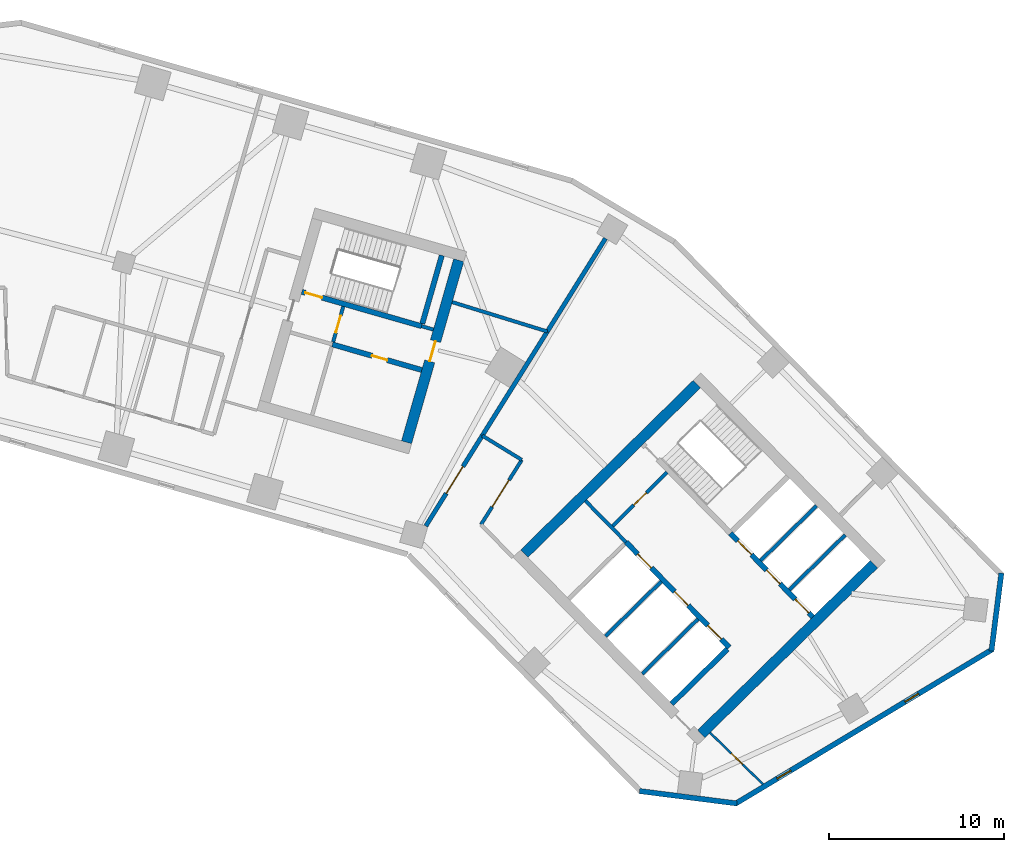
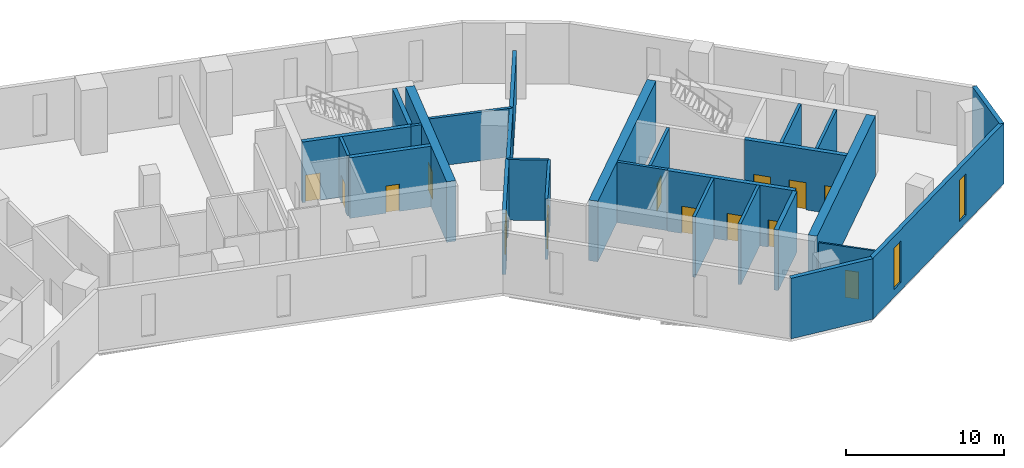
# One storey, part 6 of 10: 27 walls, 14 doors, 2 windows, 16 openings.
"""IFC4 building model written with IfcOpenShell, lengths in metres."""

from ifc_helpers import new_model, si_unit, direction, frame, frame_2d, origin, place, context, subcontext, project, spatial, rectangle, extrude, material, layer, layer_set, type_object, element, fill, save


model = new_model("IFC4")

# Units and contexts
model_context = context("Model", 3, precision=1e-05, world=origin(), true_north=direction((0.0, 1.0)))
body_context = subcontext(model_context, "Body", "Model", "MODEL_VIEW")
ifc_project = project(units=[si_unit("LENGTHUNIT", "METRE"), si_unit("AREAUNIT", "SQUARE_METRE"), si_unit("VOLUMEUNIT", "CUBIC_METRE"), si_unit("PLANEANGLEUNIT", "RADIAN"), si_unit("MASSUNIT", "GRAM", prefix="KILO")], contexts=[model_context])

# Site, building, storey
site_placement = place(None, origin())
site = spatial("IfcSite", under=ifc_project, at=site_placement, CompositionType="ELEMENT")
building_placement = place(site_placement, origin())
building = spatial("IfcBuilding", under=site, at=building_placement, Name="Binnacle Exchange Tower", CompositionType="ELEMENT")
storey_placement = place(building_placement, frame((0.0, 0.0, 31.5)))
storey = spatial("IfcBuildingStorey", under=building, at=storey_placement, Name="L06", CompositionType="ELEMENT", Elevation=31.5)

# Wall, openings, doors
ifc_material_1 = material(Name="Concrete C70/85", Category="concrete")
ifc_layer_1 = layer(ifc_material_1, 0.300048828125)
ifc_layer_set_1 = layer_set([ifc_layer_1], Name="Core wall - front 300")
wall_type_1 = type_object("IfcWallType", Name="Core wall - front 300", PredefinedType="SOLIDWALL", material=ifc_layer_set_1)
wall_1_placement = place(storey_placement, frame((37.8740234375, 41.41552734375, 0.0), z_axis=(0.0, 0.0, 1.0), x_axis=(0.700918271237, -0.71324159795, 0.0)))
wall_1 = element("IfcWall", 1, at=wall_1_placement, inside=storey, type_object=wall_type_1, Name="Core wall CRWB3", PredefinedType="SOLIDWALL", context=body_context, shape_type="SweptSolid", body=[
    extrude(rectangle(XDim=8.39990234375, YDim=0.300048828125, at=frame_2d((4.199951171875, 0.0))), origin(), (0.0, 0.0, 1.0), 4.679931640625),
])
opening_1_placement = place(wall_1_placement, frame((0.949951171875, 0.0, 0.0)))
opening_1 = element("IfcOpeningElement", 2, at=opening_1_placement, cuts=wall_1, Name="Opening LD15", PredefinedType="OPENING", context=body_context, shape_type="SweptSolid", body=[
    extrude(rectangle(XDim=1.10009765625, YDim=2.10009765625, at=frame_2d((0.550048828125, 1.050048828125))), frame((0.0, 0.159912109375, 0.0), z_axis=(0.0, -1.0, 0.0), x_axis=(1.0, 0.0, 0.0)), (0.0, 0.0, 1.0), 0.320068359375),
])
opening_2_placement = place(wall_1_placement, frame((3.949951171875, 0.0, 0.0)))
opening_2 = element("IfcOpeningElement", 3, at=opening_2_placement, cuts=wall_1, Name="Opening LD16", PredefinedType="OPENING", context=body_context, shape_type="SweptSolid", body=[
    extrude(rectangle(XDim=1.10009765625, YDim=2.10009765625, at=frame_2d((0.550048828125, 1.050048828125))), frame((0.0, 0.159912109375, 0.0), z_axis=(0.0, -1.0, 0.0), x_axis=(1.0, 0.0, 0.0)), (0.0, 0.0, 1.0), 0.320068359375),
])
opening_3_placement = place(wall_1_placement, frame((6.64990234375, 0.0, 0.0)))
opening_3 = element("IfcOpeningElement", 4, at=opening_3_placement, cuts=wall_1, Name="Opening LD4", PredefinedType="OPENING", context=body_context, shape_type="SweptSolid", body=[
    extrude(rectangle(XDim=1.10009765625, YDim=2.10009765625, at=frame_2d((0.550048828125, 1.050048828125))), frame((0.0, 0.159912109375, 0.0), z_axis=(0.0, -1.0, 0.0), x_axis=(1.0, 0.0, 0.0)), (0.0, 0.0, 1.0), 0.320068359375),
])
ifc_material_2 = material(Name="Steel door leaf", Category="steel")
door_type_1 = type_object("IfcDoorType", Name="Fire door - lift landing 1100", OperationType="NOTDEFINED", PredefinedType="DOOR", material=ifc_material_2)
door_1_placement = place(opening_1_placement, origin())
door_1 = element("IfcDoor", 5, at=door_1_placement, inside=storey, type_object=door_type_1, Name="Landing door LD15 L06", OperationType="DOUBLE_DOOR_SLIDING", OverallHeight=2.10009765625, OverallWidth=1.10009765625, PredefinedType="DOOR", context=body_context, shape_type="SweptSolid", body=[
    extrude(rectangle(XDim=1.10009765625, YDim=2.10009765625, at=frame_2d((0.550048828125, 1.050048828125))), frame((0.0, 0.02490234375, 0.0), z_axis=(0.0, -1.0, 0.0), x_axis=(1.0, 0.0, 0.0)), (0.0, 0.0, 1.0), 0.050048828125),
])
fill(opening_1, door_1)
door_2_placement = place(opening_2_placement, origin())
door_2 = element("IfcDoor", 6, at=door_2_placement, inside=storey, type_object=door_type_1, Name="Landing door LD16 L06", OperationType="DOUBLE_DOOR_SLIDING", OverallHeight=2.10009765625, OverallWidth=1.10009765625, PredefinedType="DOOR", context=body_context, shape_type="SweptSolid", body=[
    extrude(rectangle(XDim=1.10009765625, YDim=2.10009765625, at=frame_2d((0.550048828125, 1.050048828125))), frame((0.0, 0.02490234375, 0.0), z_axis=(0.0, -1.0, 0.0), x_axis=(1.0, 0.0, 0.0)), (0.0, 0.0, 1.0), 0.050048828125),
])
fill(opening_2, door_2)
door_3_placement = place(opening_3_placement, origin())
door_3 = element("IfcDoor", 7, at=door_3_placement, inside=storey, type_object=door_type_1, Name="Landing door LD4 L06", OperationType="DOUBLE_DOOR_SLIDING", OverallHeight=2.10009765625, OverallWidth=1.10009765625, PredefinedType="DOOR", context=body_context, shape_type="SweptSolid", body=[
    extrude(rectangle(XDim=1.10009765625, YDim=2.10009765625, at=frame_2d((0.550048828125, 1.050048828125))), frame((0.0, 0.02490234375, 0.0), z_axis=(0.0, -1.0, 0.0), x_axis=(1.0, 0.0, 0.0)), (0.0, 0.0, 1.0), 0.050048828125),
])
fill(opening_3, door_3)

wall_2_placement = place(storey_placement, frame((43.818603515625, 41.92919921875, 0.0), z_axis=(0.0, 0.0, 1.0), x_axis=(0.700921619155, -0.713238307862, 0.0)))
wall_2 = element("IfcWall", 8, at=wall_2_placement, inside=storey, type_object=wall_type_1, Name="Core wall CRWB5", PredefinedType="SOLIDWALL", context=body_context, shape_type="SweptSolid", body=[
    extrude(rectangle(XDim=6.69970703125, YDim=0.300048828125, at=frame_2d((3.349853515625, 0.0))), origin(), (0.0, 0.0, 1.0), 4.679931640625),
])
opening_4_placement = place(wall_2_placement, frame((0.614990234375, 0.0, 0.0)))
opening_4 = element("IfcOpeningElement", 9, at=opening_4_placement, cuts=wall_2, Name="Opening LD1", PredefinedType="OPENING", context=body_context, shape_type="SweptSolid", body=[
    extrude(rectangle(XDim=1.10009765625, YDim=2.10009765625, at=frame_2d((0.550048828125, 1.050048828125))), frame((0.0, 0.159912109375, 0.0), z_axis=(0.0, -1.0, 0.0), x_axis=(1.0, 0.0, 0.0)), (0.0, 0.0, 1.0), 0.320068359375),
])
opening_5_placement = place(wall_2_placement, frame((2.945068359375, 0.0, 0.0)))
opening_5 = element("IfcOpeningElement", 10, at=opening_5_placement, cuts=wall_2, Name="Opening LD2", PredefinedType="OPENING", context=body_context, shape_type="SweptSolid", body=[
    extrude(rectangle(XDim=1.10009765625, YDim=2.10009765625, at=frame_2d((0.550048828125, 1.050048828125))), frame((0.0, 0.159912109375, 0.0), z_axis=(0.0, -1.0, 0.0), x_axis=(1.0, 0.0, 0.0)), (0.0, 0.0, 1.0), 0.320068359375),
])
opening_6_placement = place(wall_2_placement, frame((5.280029296875, 0.0, 0.0)))
opening_6 = element("IfcOpeningElement", 11, at=opening_6_placement, cuts=wall_2, Name="Opening LD3", PredefinedType="OPENING", context=body_context, shape_type="SweptSolid", body=[
    extrude(rectangle(XDim=1.10009765625, YDim=2.10009765625, at=frame_2d((0.550048828125, 1.050048828125))), frame((0.0, 0.159912109375, 0.0), z_axis=(0.0, -1.0, 0.0), x_axis=(1.0, 0.0, 0.0)), (0.0, 0.0, 1.0), 0.320068359375),
])
door_4_placement = place(opening_4_placement, origin())
door_4 = element("IfcDoor", 12, at=door_4_placement, inside=storey, type_object=door_type_1, Name="Landing door LD1 L06", OperationType="DOUBLE_DOOR_SLIDING", OverallHeight=2.10009765625, OverallWidth=1.10009765625, PredefinedType="DOOR", context=body_context, shape_type="SweptSolid", body=[
    extrude(rectangle(XDim=1.10009765625, YDim=2.10009765625, at=frame_2d((0.550048828125, 1.050048828125))), frame((0.0, 0.02490234375, 0.0), z_axis=(0.0, -1.0, 0.0), x_axis=(1.0, 0.0, 0.0)), (0.0, 0.0, 1.0), 0.050048828125),
])
fill(opening_4, door_4)
door_5_placement = place(opening_5_placement, origin())
door_5 = element("IfcDoor", 13, at=door_5_placement, inside=storey, type_object=door_type_1, Name="Landing door LD2 L06", OperationType="DOUBLE_DOOR_SLIDING", OverallHeight=2.10009765625, OverallWidth=1.10009765625, PredefinedType="DOOR", context=body_context, shape_type="SweptSolid", body=[
    extrude(rectangle(XDim=1.10009765625, YDim=2.10009765625, at=frame_2d((0.550048828125, 1.050048828125))), frame((0.0, 0.02490234375, 0.0), z_axis=(0.0, -1.0, 0.0), x_axis=(1.0, 0.0, 0.0)), (0.0, 0.0, 1.0), 0.050048828125),
])
fill(opening_5, door_5)
door_6_placement = place(opening_6_placement, origin())
door_6 = element("IfcDoor", 14, at=door_6_placement, inside=storey, type_object=door_type_1, Name="Landing door LD3 L06", OperationType="DOUBLE_DOOR_SLIDING", OverallHeight=2.10009765625, OverallWidth=1.10009765625, PredefinedType="DOOR", context=body_context, shape_type="SweptSolid", body=[
    extrude(rectangle(XDim=1.10009765625, YDim=2.10009765625, at=frame_2d((0.550048828125, 1.050048828125))), frame((0.0, 0.02490234375, 0.0), z_axis=(0.0, -1.0, 0.0), x_axis=(1.0, 0.0, 0.0)), (0.0, 0.0, 1.0), 0.050048828125),
])
fill(opening_6, door_6)

# Wall
wall_3_placement = place(storey_placement, frame((40.480712890625, 32.199951171875, 0.0), z_axis=(0.0, 0.0, 1.0), x_axis=(0.713251741427, 0.700907949271, 0.0)))
element("IfcWall", 15, at=wall_3_placement, inside=storey, type_object=wall_type_1, Name="Core wall CRWB14", PredefinedType="SOLIDWALL", context=body_context, shape_type="SweptSolid", body=[
    extrude(rectangle(XDim=4.4501953125, YDim=0.300048828125, at=frame_2d((2.22509765625, 0.0))), origin(), (0.0, 0.0, 1.0), 4.679931640625),
])

# Wall, opening, door
wall_4_placement = place(storey_placement, frame((21.130859375, 52.6923828125, 0.0), z_axis=(0.0, 0.0, 1.0), x_axis=(0.961271492568, -0.275603188616, 0.0)))
wall_4 = element("IfcWall", 16, at=wall_4_placement, inside=storey, type_object=wall_type_1, Name="Core wall CRWD3", PredefinedType="SOLIDWALL", context=body_context, shape_type="SweptSolid", body=[
    extrude(rectangle(XDim=5.300048828125, YDim=0.300048828125, at=frame_2d((2.64990234375, 0.0))), origin(), (0.0, 0.0, 1.0), 4.679931640625),
])
opening_7_placement = place(wall_4_placement, frame((2.35009765625, 0.0, 0.0)))
opening_7 = element("IfcOpeningElement", 17, at=opening_7_placement, cuts=wall_4, Name="Opening DD10", PredefinedType="OPENING", context=body_context, shape_type="SweptSolid", body=[
    extrude(rectangle(XDim=0.89990234375, YDim=2.10009765625, at=frame_2d((0.449951171875, 1.050048828125))), frame((0.0, 0.159912109375, 0.0), z_axis=(0.0, -1.0, 0.0), x_axis=(1.0, 0.0, 0.0)), (0.0, 0.0, 1.0), 0.320068359375),
])
door_type_2 = type_object("IfcDoorType", Name="Fire door 900", OperationType="NOTDEFINED", PredefinedType="DOOR", material=ifc_material_2)
door_7_placement = place(opening_7_placement, frame((0.89990234375, 0.0, 0.0), z_axis=(0.0, 0.0, 1.0), x_axis=(-1.0, 0.0, 0.0)))
door_7 = element("IfcDoor", 18, at=door_7_placement, inside=storey, type_object=door_type_2, Name="Core room door TELECOM RISER ROOM", OperationType="SINGLE_SWING_LEFT", OverallHeight=2.10009765625, OverallWidth=0.89990234375, PredefinedType="DOOR", context=body_context, shape_type="SweptSolid", body=[
    extrude(rectangle(XDim=0.89990234375, YDim=2.10009765625, at=frame_2d((0.449951171875, 1.050048828125))), frame((0.0, 0.02490234375, 0.0), z_axis=(0.0, -1.0, 0.0), x_axis=(1.0, 0.0, 0.0)), (0.0, 0.0, 1.0), 0.050048828125),
])
fill(opening_7, door_7)

# Walls
ifc_layer_2 = layer(ifc_material_1, 0.60009765625)
ifc_layer_set_2 = layer_set([ifc_layer_2], Name="Core wall - outer 600")
wall_type_2 = type_object("IfcWallType", Name="Core wall - outer 600", PredefinedType="SOLIDWALL", material=ifc_layer_set_2)
for number, where, z_axis, x_axis, name in (
    (19, (32.06982421875, 40.759033203125, 0.0), (0.0, 0.0, 1.0), (0.713245344712, 0.70091445858, 0.0), "Core wall CRWB7"),
    (20, (42.1630859375, 30.48828125, 0.0), (0.0, 0.0, 1.0), (0.713245344712, 0.70091445858, 0.0), "Core wall CRWB16"),
):
    element("IfcWall", number, at=place(storey_placement, frame(where, z_axis=z_axis, x_axis=x_axis)), inside=storey, type_object=wall_type_2, Name=name, PredefinedType="SOLIDWALL", context=body_context, shape_type="SweptSolid", body=[
        extrude(rectangle(XDim=13.800048828125, YDim=0.60009765625, at=frame_2d((6.89990234375, 0.0))), origin(), (0.0, 0.0, 1.0), 4.679931640625),
    ])

# Wall, opening, door
wall_5_placement = place(storey_placement, frame((25.356201171875, 47.111572265625, 0.0), z_axis=(0.0, 0.0, 1.0), x_axis=(0.275631631629, 0.961263337304, 0.0)))
wall_5 = element("IfcWall", 21, at=wall_5_placement, inside=storey, type_object=wall_type_2, Name="Core wall CRWD12", PredefinedType="SOLIDWALL", context=body_context, shape_type="SweptSolid", body=[
    extrude(rectangle(XDim=10.800048828125, YDim=0.60009765625, at=frame_2d((5.39990234375, 0.0))), origin(), (0.0, 0.0, 1.0), 4.679931640625),
])
opening_8_placement = place(wall_5_placement, frame((4.800048828125, 0.0, 0.0)))
opening_8 = element("IfcOpeningElement", 22, at=opening_8_placement, cuts=wall_5, Name="Opening DD6", PredefinedType="OPENING", context=body_context, shape_type="SweptSolid", body=[
    extrude(rectangle(XDim=1.199951171875, YDim=2.10009765625, at=frame_2d((0.60009765625, 1.050048828125))), frame((0.0, 0.31005859375, 0.0), z_axis=(0.0, -1.0, 0.0), x_axis=(1.0, 0.0, 0.0)), (0.0, 0.0, 1.0), 0.6201171875),
])
door_type_3 = type_object("IfcDoorType", Name="Fire door 1200", OperationType="NOTDEFINED", PredefinedType="DOOR", material=ifc_material_2)
door_8_placement = place(opening_8_placement, frame((1.199951171875, 0.0, 0.0), z_axis=(0.0, 0.0, 1.0), x_axis=(-1.0, 0.0, 0.0)))
door_8 = element("IfcDoor", 23, at=door_8_placement, inside=storey, type_object=door_type_3, Name="Core passage exit door", OperationType="SINGLE_SWING_LEFT", OverallHeight=2.10009765625, OverallWidth=1.199951171875, PredefinedType="DOOR", context=body_context, shape_type="SweptSolid", body=[
    extrude(rectangle(XDim=1.199951171875, YDim=2.10009765625, at=frame_2d((0.60009765625, 1.050048828125))), frame((0.0, 0.02490234375, 0.0), z_axis=(0.0, -1.0, 0.0), x_axis=(1.0, 0.0, 0.0)), (0.0, 0.0, 1.0), 0.050048828125),
])
fill(opening_8, door_8)

ifc_layer_3 = layer(ifc_material_1, 0.300048828125)
ifc_layer_set_3 = layer_set([ifc_layer_3], Name="Core wall - stair 300")
wall_type_3 = type_object("IfcWallType", Name="Core wall - stair 300", PredefinedType="SOLIDWALL", material=ifc_layer_set_3)
wall_6_placement = place(storey_placement, frame((19.38916015625, 55.688720703125, 0.0), z_axis=(0.0, 0.0, 1.0), x_axis=(0.961261397636, -0.275638396117, 0.0)))
wall_6 = element("IfcWall", 24, at=wall_6_placement, inside=storey, type_object=wall_type_3, Name="Core wall CRWD4", PredefinedType="SOLIDWALL", context=body_context, shape_type="SweptSolid", body=[
    extrude(rectangle(XDim=7.10009765625, YDim=0.300048828125, at=frame_2d((3.550048828125, 0.0))), origin(), (0.0, 0.0, 1.0), 4.679931640625),
])
opening_9_placement = place(wall_6_placement, frame((0.199951171875, 0.0, 0.0)))
opening_9 = element("IfcOpeningElement", 25, at=opening_9_placement, cuts=wall_6, Name="Opening DD1", PredefinedType="OPENING", context=body_context, shape_type="SweptSolid", body=[
    extrude(rectangle(XDim=1.0, YDim=2.10009765625, at=frame_2d((0.5, 1.050048828125))), frame((0.0, 0.159912109375, 0.0), z_axis=(0.0, -1.0, 0.0), x_axis=(1.0, 0.0, 0.0)), (0.0, 0.0, 1.0), 0.320068359375),
])
door_type_4 = type_object("IfcDoorType", Name="Fire door 1000", OperationType="NOTDEFINED", PredefinedType="DOOR", material=ifc_material_2)
door_9_placement = place(opening_9_placement, origin())
door_9 = element("IfcDoor", 26, at=door_9_placement, inside=storey, type_object=door_type_4, Name="Stair door ST-D1", OperationType="SINGLE_SWING_LEFT", OverallHeight=2.10009765625, OverallWidth=1.0, PredefinedType="DOOR", context=body_context, shape_type="SweptSolid", body=[
    extrude(rectangle(XDim=1.0, YDim=2.10009765625, at=frame_2d((0.5, 1.050048828125))), frame((0.0, 0.02490234375, 0.0), z_axis=(0.0, -1.0, 0.0), x_axis=(1.0, 0.0, 0.0)), (0.0, 0.0, 1.0), 0.050048828125),
])
fill(opening_9, door_9)

# Walls
wall_7_placement = place(storey_placement, frame((26.255615234375, 53.875732421875, 0.0), z_axis=(0.0, 0.0, 1.0), x_axis=(0.275612739511, 0.961268754209, 0.0)))
element("IfcWall", 27, at=wall_7_placement, inside=storey, type_object=wall_type_3, Name="Core wall CRWD11", PredefinedType="SOLIDWALL", context=body_context, shape_type="SweptSolid", body=[
    extrude(rectangle(XDim=4.0498046875, YDim=0.300048828125, at=frame_2d((2.02490234375, 0.0))), origin(), (0.0, 0.0, 1.0), 4.679931640625),
])
ifc_material_3 = material(Name="Bronze aluminium cladding", Category="aluminium")
ifc_layer_4 = layer(ifc_material_3, 0.300048828125)
ifc_layer_set_4 = layer_set([ifc_layer_4], Name="External wall - spandrel 300")
wall_type_4 = type_object("IfcWallType", Name="External wall - spandrel 300", PredefinedType="STANDARD", material=ifc_layer_set_4)
wall_8_placement = place(storey_placement, frame((44.19580078125, 26.517822265625, 0.0), z_axis=(0.0, 0.0, 1.0), x_axis=(-0.992001881269, 0.126223086474, 0.0)))
element("IfcWall", 28, at=wall_8_placement, inside=storey, type_object=wall_type_4, Name="External wall EW-F10 L06", PredefinedType="STANDARD", context=body_context, shape_type="SweptSolid", body=[
    extrude(rectangle(XDim=5.6015625, YDim=0.300048828125, at=frame_2d((2.80078125, 0.0))), origin(), (0.0, 0.0, 1.0), 4.679931640625),
])

# Wall, openings, windows
wall_9_placement = place(storey_placement, frame((58.7783203125, 35.317626953125, 0.0), z_axis=(0.0, 0.0, 1.0), x_axis=(-0.857168206138, -0.515036568009, 0.0)))
wall_9 = element("IfcWall", 29, at=wall_9_placement, inside=storey, type_object=wall_type_4, Name="External wall EW-F11 L06", PredefinedType="STANDARD", context=body_context, shape_type="SweptSolid", body=[
    extrude(rectangle(XDim=17.124755859375, YDim=0.300048828125, at=frame_2d((8.5625, 0.0))), origin(), (0.0, 0.0, 1.0), 4.679931640625),
])
opening_10_placement = place(wall_9_placement, frame((13.435302734375, 0.0, 0.60009765625)))
opening_10 = element("IfcOpeningElement", 30, at=opening_10_placement, cuts=wall_9, Name="Opening WS1", PredefinedType="OPENING", context=body_context, shape_type="SweptSolid", body=[
    extrude(rectangle(XDim=0.89990234375, YDim=3.199951171875, at=frame_2d((0.449951171875, 1.60009765625))), frame((0.0, 0.159912109375, 0.0), z_axis=(0.0, -1.0, 0.0), x_axis=(1.0, 0.0, 0.0)), (0.0, 0.0, 1.0), 0.320068359375),
])
opening_11_placement = place(wall_9_placement, frame((4.935302734375, 0.0, 0.60009765625)))
opening_11 = element("IfcOpeningElement", 31, at=opening_11_placement, cuts=wall_9, Name="Opening WS1", PredefinedType="OPENING", context=body_context, shape_type="SweptSolid", body=[
    extrude(rectangle(XDim=0.89990234375, YDim=3.199951171875, at=frame_2d((0.449951171875, 1.60009765625))), frame((0.0, 0.159912109375, 0.0), z_axis=(0.0, -1.0, 0.0), x_axis=(1.0, 0.0, 0.0)), (0.0, 0.0, 1.0), 0.320068359375),
])
ifc_material_4 = material(Name="Bronze anodised aluminium frame", Category="aluminium")
window_type = type_object("IfcWindowType", Name="WS1 WINDOW 900x3200", PartitioningType="SINGLE_PANEL", PredefinedType="WINDOW", material=ifc_material_4)
window_1_placement = place(opening_10_placement, origin())
window_1 = element("IfcWindow", 32, at=window_1_placement, inside=storey, type_object=window_type, Name="Window WS1 L06", OverallHeight=3.199951171875, OverallWidth=0.89990234375, PartitioningType="SINGLE_PANEL", PredefinedType="WINDOW", context=body_context, shape_type="SweptSolid", body=[
    extrude(rectangle(XDim=0.89990234375, YDim=3.199951171875, at=frame_2d((0.449951171875, 1.60009765625))), frame((0.0, 0.030029296875, 0.0), z_axis=(0.0, -1.0, 0.0), x_axis=(1.0, 0.0, 0.0)), (0.0, 0.0, 1.0), 0.06005859375),
])
fill(opening_10, window_1)
window_2_placement = place(opening_11_placement, origin())
window_2 = element("IfcWindow", 33, at=window_2_placement, inside=storey, type_object=window_type, Name="Window WS1 L06", OverallHeight=3.199951171875, OverallWidth=0.89990234375, PartitioningType="SINGLE_PANEL", PredefinedType="WINDOW", context=body_context, shape_type="SweptSolid", body=[
    extrude(rectangle(XDim=0.89990234375, YDim=3.199951171875, at=frame_2d((0.449951171875, 1.60009765625))), frame((0.0, 0.030029296875, 0.0), z_axis=(0.0, -1.0, 0.0), x_axis=(1.0, 0.0, 0.0)), (0.0, 0.0, 1.0), 0.06005859375),
])
fill(opening_11, window_2)

# Walls
wall_10_placement = place(storey_placement, frame((59.27197265625, 39.6513671875, 0.0), z_axis=(0.0, 0.0, 1.0), x_axis=(-0.126181137886, -0.992007217938, 0.0)))
element("IfcWall", 34, at=wall_10_placement, inside=storey, type_object=wall_type_4, Name="External wall EW-F12 L06", PredefinedType="STANDARD", context=body_context, shape_type="SweptSolid", body=[
    extrude(rectangle(XDim=4.479248046875, YDim=0.300048828125, at=frame_2d((2.23974609375, 0.0))), origin(), (0.0, 0.0, 1.0), 4.679931640625),
])
ifc_material_5 = material(Name="Masonry block wall", Category="masonry")
ifc_layer_5 = layer(ifc_material_5, 0.199951171875)
ifc_layer_set_5 = layer_set([ifc_layer_5], Name="Fire wall - block 200")
wall_type_5 = type_object("IfcWallType", Name="Fire wall - block 200", PredefinedType="PARTITIONING", material=ifc_layer_set_5)
wall_11_placement = place(storey_placement, frame((27.9599609375, 55.10302734375, 0.0), z_axis=(0.0, 0.0, 1.0), x_axis=(0.955442775069, -0.29517639399, 0.0)))
element("IfcWall", 35, at=wall_11_placement, inside=storey, type_object=wall_type_5, Name="Partition W35", PredefinedType="PARTITIONING", context=body_context, shape_type="SweptSolid", body=[
    extrude(rectangle(XDim=5.677978515625, YDim=0.199951171875, at=frame_2d((2.8388671875, 0.0))), origin(), (0.0, 0.0, 1.0), 3.748046875),
])

# Wall, opening, door
wall_12_placement = place(storey_placement, frame((29.60009765625, 42.416015625, 0.0), z_axis=(0.0, 0.0, 1.0), x_axis=(0.533582711531, 0.84574788794, 0.0)))
wall_12 = element("IfcWall", 36, at=wall_12_placement, inside=storey, type_object=wall_type_5, Name="Partition W37", PredefinedType="PARTITIONING", context=body_context, shape_type="SweptSolid", body=[
    extrude(rectangle(XDim=4.366455078125, YDim=0.199951171875, at=frame_2d((2.18310546875, 0.0))), origin(), (0.0, 0.0, 1.0), 4.679931640625),
])
opening_12_placement = place(wall_12_placement, frame((1.199951171875, 0.0, 0.0)))
opening_12 = element("IfcOpeningElement", 37, at=opening_12_placement, cuts=wall_12, Name="Opening DL05-10", PredefinedType="OPENING", context=body_context, shape_type="SweptSolid", body=[
    extrude(rectangle(XDim=1.800048828125, YDim=2.10009765625, at=frame_2d((0.89990234375, 1.050048828125))), frame((0.0, 0.10986328125, 0.0), z_axis=(0.0, -1.0, 0.0), x_axis=(1.0, 0.0, 0.0)), (0.0, 0.0, 1.0), 0.219970703125),
])
door_type_5 = type_object("IfcDoorType", Name="Fire door 1800", OperationType="NOTDEFINED", PredefinedType="DOOR", material=ifc_material_2)
door_10_placement = place(opening_12_placement, frame((1.800048828125, 0.0, 0.0), z_axis=(0.0, 0.0, 1.0), x_axis=(-1.0, 0.0, 0.0)))
door_10 = element("IfcDoor", 38, at=door_10_placement, inside=storey, type_object=door_type_5, Name="Door DL05-10", OperationType="DOUBLE_DOOR_SINGLE_SWING", OverallHeight=2.10009765625, OverallWidth=1.800048828125, PredefinedType="DOOR", context=body_context, shape_type="SweptSolid", body=[
    extrude(rectangle(XDim=1.800048828125, YDim=2.10009765625, at=frame_2d((0.89990234375, 1.050048828125))), frame((0.0, 0.02490234375, 0.0), z_axis=(0.0, -1.0, 0.0), x_axis=(1.0, 0.0, 0.0)), (0.0, 0.0, 1.0), 0.050048828125),
])
fill(opening_12, door_10)

# Wall
wall_13_placement = place(storey_placement, frame((29.675048828125, 47.490966796875, 0.0), z_axis=(0.0, 0.0, 1.0), x_axis=(0.852591965232, -0.522577210392, 0.0)))
element("IfcWall", 39, at=wall_13_placement, inside=storey, type_object=wall_type_5, Name="Partition W38", PredefinedType="PARTITIONING", context=body_context, shape_type="SweptSolid", body=[
    extrude(rectangle(XDim=2.644775390625, YDim=0.199951171875, at=frame_2d((1.322265625, 0.0))), origin(), (0.0, 0.0, 1.0), 4.679931640625),
])

# Wall, opening, door
ifc_material_6 = material(Name="Concrete fire wall C30/37", Category="concrete")
ifc_layer_6 = layer(ifc_material_6, 0.25)
ifc_layer_set_6 = layer_set([ifc_layer_6], Name="Fire wall - compartment 250")
wall_type_6 = type_object("IfcWallType", Name="Fire wall - compartment 250", PredefinedType="PARTITIONING", material=ifc_layer_set_6)
wall_14_placement = place(storey_placement, frame((26.4560546875, 42.337890625, 0.0), z_axis=(0.0, 0.0, 1.0), x_axis=(0.52980027265, 0.848122438743, 0.0)))
wall_14 = element("IfcWall", 40, at=wall_14_placement, inside=storey, type_object=wall_type_6, Name="Fire Wall W34", PredefinedType="PARTITIONING", context=body_context, shape_type="SweptSolid", body=[
    extrude(rectangle(XDim=6.075927734375, YDim=0.25, at=frame_2d((3.0380859375, 0.0))), origin(), (0.0, 0.0, 1.0), 4.679931640625),
])
opening_13_placement = place(wall_14_placement, frame((2.199951171875, 0.0, 0.0)))
opening_13 = element("IfcOpeningElement", 41, at=opening_13_placement, cuts=wall_14, Name="Opening DL05-13", PredefinedType="OPENING", context=body_context, shape_type="SweptSolid", body=[
    extrude(rectangle(XDim=1.800048828125, YDim=2.10009765625, at=frame_2d((0.89990234375, 1.050048828125))), frame((0.0, 0.135009765625, 0.0), z_axis=(0.0, -1.0, 0.0), x_axis=(1.0, 0.0, 0.0)), (0.0, 0.0, 1.0), 0.27001953125),
])
door_11_placement = place(opening_13_placement, origin())
door_11 = element("IfcDoor", 42, at=door_11_placement, inside=storey, type_object=door_type_5, Name="Door DL05-13", OperationType="DOUBLE_DOOR_SINGLE_SWING", OverallHeight=2.10009765625, OverallWidth=1.800048828125, PredefinedType="DOOR", context=body_context, shape_type="SweptSolid", body=[
    extrude(rectangle(XDim=1.800048828125, YDim=2.10009765625, at=frame_2d((0.89990234375, 1.050048828125))), frame((0.0, 0.02490234375, 0.0), z_axis=(0.0, -1.0, 0.0), x_axis=(1.0, 0.0, 0.0)), (0.0, 0.0, 1.0), 0.050048828125),
])
fill(opening_13, door_11)

# Walls
wall_15_placement = place(storey_placement, frame((29.675048828125, 47.490966796875, 0.0), z_axis=(0.0, 0.0, 1.0), x_axis=(0.529992669945, 0.848002222759, 0.0)))
element("IfcWall", 43, at=wall_15_placement, inside=storey, type_object=wall_type_6, Name="Fire Wall W39", PredefinedType="PARTITIONING", context=body_context, shape_type="SweptSolid", body=[
    extrude(rectangle(XDim=7.0, YDim=0.25, at=frame_2d((3.5, 0.0))), origin(), (0.0, 0.0, 1.0), 3.741943359375),
])
wall_16_placement = place(storey_placement, frame((33.385009765625, 53.427001953125, 0.0), z_axis=(0.0, 0.0, 1.0), x_axis=(0.529897235032, 0.848061861131, 0.0)))
element("IfcWall", 44, at=wall_16_placement, inside=storey, type_object=wall_type_6, Name="Fire Wall W40", PredefinedType="PARTITIONING", context=body_context, shape_type="SweptSolid", body=[
    extrude(rectangle(XDim=6.257568359375, YDim=0.25, at=frame_2d((3.12890625, 0.0))), origin(), (0.0, 0.0, 1.0), 3.741943359375),
])

# Wall, opening, door
ifc_layer_7 = layer(ifc_material_5, 0.199951171875)
ifc_layer_set_7 = layer_set([ifc_layer_7], Name="Fire wall - vestibule 200")
wall_type_7 = type_object("IfcWallType", Name="Fire wall - vestibule 200", PredefinedType="PARTITIONING", material=ifc_layer_set_7)
wall_17_placement = place(storey_placement, frame((37.104248046875, 42.341552734375, 0.0), z_axis=(0.0, 0.0, 1.0), x_axis=(0.713281298468, 0.700877870428, 0.0)))
wall_17 = element("IfcWall", 45, at=wall_17_placement, inside=storey, type_object=wall_type_7, Name="Core wall CRWB8", PredefinedType="PARTITIONING", context=body_context, shape_type="SweptSolid", body=[
    extrude(rectangle(XDim=4.35009765625, YDim=0.199951171875, at=frame_2d((2.175048828125, 0.0))), origin(), (0.0, 0.0, 1.0), 4.679931640625),
])
opening_14_placement = place(wall_17_placement, frame((1.699951171875, 0.0, 0.0)))
opening_14 = element("IfcOpeningElement", 46, at=opening_14_placement, cuts=wall_17, Name="Opening DB3", PredefinedType="OPENING", context=body_context, shape_type="SweptSolid", body=[
    extrude(rectangle(XDim=1.0, YDim=2.10009765625, at=frame_2d((0.5, 1.050048828125))), frame((0.0, 0.10986328125, 0.0), z_axis=(0.0, -1.0, 0.0), x_axis=(1.0, 0.0, 0.0)), (0.0, 0.0, 1.0), 0.219970703125),
])
door_12_placement = place(opening_14_placement, origin())
door_12 = element("IfcDoor", 47, at=door_12_placement, inside=storey, type_object=door_type_4, Name="Vestibule door VEST-W", OperationType="SINGLE_SWING_RIGHT", OverallHeight=2.10009765625, OverallWidth=1.0, PredefinedType="DOOR", context=body_context, shape_type="SweptSolid", body=[
    extrude(rectangle(XDim=1.0, YDim=2.10009765625, at=frame_2d((0.5, 1.050048828125))), frame((0.0, 0.02490234375, 0.0), z_axis=(0.0, -1.0, 0.0), x_axis=(1.0, 0.0, 0.0)), (0.0, 0.0, 1.0), 0.050048828125),
])
fill(opening_14, door_12)

wall_18_placement = place(storey_placement, frame((21.172119140625, 52.836669921875, 0.0), z_axis=(0.0, 0.0, 1.0), x_axis=(0.275657676022, 0.961255868981, 0.0)))
wall_18 = element("IfcWall", 48, at=wall_18_placement, inside=storey, type_object=wall_type_7, Name="Core wall CRWD9", PredefinedType="PARTITIONING", context=body_context, shape_type="SweptSolid", body=[
    extrude(rectangle(XDim=2.099853515625, YDim=0.199951171875, at=frame_2d((1.0498046875, 0.0))), origin(), (0.0, 0.0, 1.0), 4.679931640625),
])
opening_15_placement = place(wall_18_placement, frame((0.550048828125, 0.0, 0.0)))
opening_15 = element("IfcOpeningElement", 49, at=opening_15_placement, cuts=wall_18, Name="Opening DD3", PredefinedType="OPENING", context=body_context, shape_type="SweptSolid", body=[
    extrude(rectangle(XDim=1.0, YDim=2.10009765625, at=frame_2d((0.5, 1.050048828125))), frame((0.0, 0.10986328125, 0.0), z_axis=(0.0, -1.0, 0.0), x_axis=(1.0, 0.0, 0.0)), (0.0, 0.0, 1.0), 0.219970703125),
])
door_13_placement = place(opening_15_placement, origin())
door_13 = element("IfcDoor", 50, at=door_13_placement, inside=storey, type_object=door_type_4, Name="Vestibule door VEST-W", OperationType="SINGLE_SWING_RIGHT", OverallHeight=2.10009765625, OverallWidth=1.0, PredefinedType="DOOR", context=body_context, shape_type="SweptSolid", body=[
    extrude(rectangle(XDim=1.0, YDim=2.10009765625, at=frame_2d((0.5, 1.050048828125))), frame((0.0, 0.02490234375, 0.0), z_axis=(0.0, -1.0, 0.0), x_axis=(1.0, 0.0, 0.0)), (0.0, 0.0, 1.0), 0.050048828125),
])
fill(opening_15, door_13)

ifc_material_7 = material(Name="Gypsum partition")
ifc_layer_8 = layer(ifc_material_7, 0.125)
ifc_layer_set_8 = layer_set([ifc_layer_8], Name="Partition 125")
wall_type_8 = type_object("IfcWallType", Name="Partition 125", PredefinedType="PARTITIONING", material=ifc_layer_set_8)
wall_19_placement = place(storey_placement, frame((42.658935546875, 30.554931640625, 0.0), z_axis=(0.0, 0.0, 1.0), x_axis=(0.716925671772, -0.697149611743, 0.0)))
wall_19 = element("IfcWall", 51, at=wall_19_placement, inside=storey, type_object=wall_type_8, Name="Partition W41", PredefinedType="PARTITIONING", context=body_context, shape_type="SweptSolid", body=[
    extrude(rectangle(XDim=4.209716796875, YDim=0.125, at=frame_2d((2.10498046875, 0.0))), origin(), (0.0, 0.0, 1.0), 3.951904296875),
])
opening_16_placement = place(wall_19_placement, frame((1.699951171875, 0.0, 0.0)))
opening_16 = element("IfcOpeningElement", 52, at=opening_16_placement, cuts=wall_19, Name="Opening DL05-11", PredefinedType="OPENING", context=body_context, shape_type="SweptSolid", body=[
    extrude(rectangle(XDim=0.89990234375, YDim=2.10009765625, at=frame_2d((0.449951171875, 1.050048828125))), frame((0.0, 0.072509765625, 0.0), z_axis=(0.0, -1.0, 0.0), x_axis=(1.0, 0.0, 0.0)), (0.0, 0.0, 1.0), 0.14501953125),
])
ifc_material_8 = material(Name="Timber door leaf", Category="wood")
door_type_6 = type_object("IfcDoorType", Name="Door 900", OperationType="NOTDEFINED", PredefinedType="DOOR", material=ifc_material_8)
door_14_placement = place(opening_16_placement, origin())
door_14 = element("IfcDoor", 53, at=door_14_placement, inside=storey, type_object=door_type_6, Name="Door DL05-11", OperationType="SINGLE_SWING_RIGHT", OverallHeight=2.10009765625, OverallWidth=0.89990234375, PredefinedType="DOOR", context=body_context, shape_type="SweptSolid", body=[
    extrude(rectangle(XDim=0.89990234375, YDim=2.10009765625, at=frame_2d((0.449951171875, 1.050048828125))), frame((0.0, 0.02490234375, 0.0), z_axis=(0.0, -1.0, 0.0), x_axis=(1.0, 0.0, 0.0)), (0.0, 0.0, 1.0), 0.050048828125),
])
fill(opening_16, door_14)

# Walls
ifc_layer_9 = layer(ifc_material_5, 0.199951171875)
ifc_layer_set_9 = layer_set([ifc_layer_9], Name="Riser wall 200")
wall_type_9 = type_object("IfcWallType", Name="Riser wall 200", PredefinedType="SOLIDWALL", material=ifc_layer_set_9)
wall_20_placement = place(storey_placement, frame((35.56103515625, 43.769287109375, 0.0), z_axis=(0.0, 0.0, 1.0), x_axis=(0.70090232736, -0.713257266, 0.0)))
element("IfcWall", 54, at=wall_20_placement, inside=storey, type_object=wall_type_9, Name="Core wall CRWB2", PredefinedType="SOLIDWALL", context=body_context, shape_type="SweptSolid", body=[
    extrude(rectangle(XDim=3.300048828125, YDim=0.199951171875, at=frame_2d((1.64990234375, 0.0))), origin(), (0.0, 0.0, 1.0), 4.679931640625),
])
wall_21_placement = place(storey_placement, frame((26.214111328125, 53.731689453125, 0.0), z_axis=(0.0, 0.0, 1.0), x_axis=(0.96122076476, -0.27578005982, 0.0)))
element("IfcWall", 55, at=wall_21_placement, inside=storey, type_object=wall_type_9, Name="Core wall CRWD5", PredefinedType="SOLIDWALL", context=body_context, shape_type="SweptSolid", body=[
    extrude(rectangle(XDim=0.7001953125, YDim=0.199951171875, at=frame_2d((0.35009765625, 0.0))), origin(), (0.0, 0.0, 1.0), 4.679931640625),
])
ifc_layer_10 = layer(ifc_material_5, 0.199951171875)
ifc_layer_set_10 = layer_set([ifc_layer_10], Name="Shaft wall 200")
wall_type_10 = type_object("IfcWallType", Name="Shaft wall 200", PredefinedType="SOLIDWALL", material=ifc_layer_set_10)
for number, where, z_axis, x_axis, name in (
    (56, (36.69580078125, 36.051513671875, 0.0), (0.0, 0.0, 1.0), (0.713251741427, 0.700907949271, 0.0), "Core wall CRWB10"),
    (57, (38.798583984375, 33.911865234375, 0.0), (0.0, 0.0, 1.0), (0.713251741427, 0.700907949271, 0.0), "Core wall CRWB12"),
    (58, (45.55859375, 40.37255859375, 0.0), (0.0, 0.0, 1.0), (0.713251741427, 0.700907949271, 0.0), "Core wall CRWB13"),
    (59, (47.191650390625, 38.710693359375, 0.0), (0.0, 0.0, 1.0), (0.713251741427, 0.700907949271, 0.0), "Core wall CRWB15"),
):
    element("IfcWall", number, at=place(storey_placement, frame(where, z_axis=z_axis, x_axis=x_axis)), inside=storey, type_object=wall_type_10, Name=name, PredefinedType="SOLIDWALL", context=body_context, shape_type="SweptSolid", body=[
        extrude(rectangle(XDim=4.4501953125, YDim=0.199951171875, at=frame_2d((2.22509765625, 0.0))), origin(), (0.0, 0.0, 1.0), 4.679931640625),
    ])

save(model, "model.ifc")
